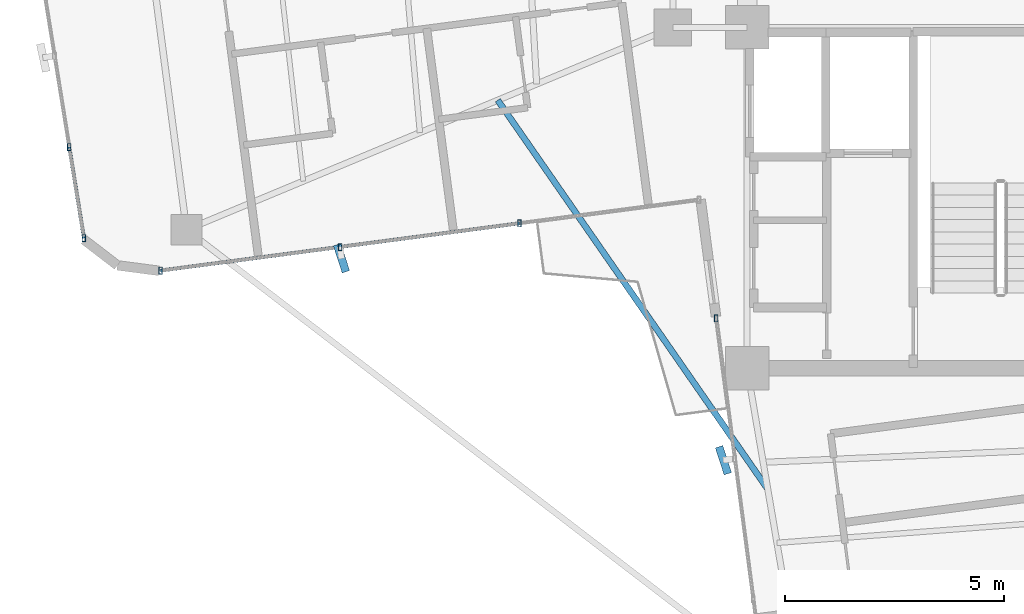
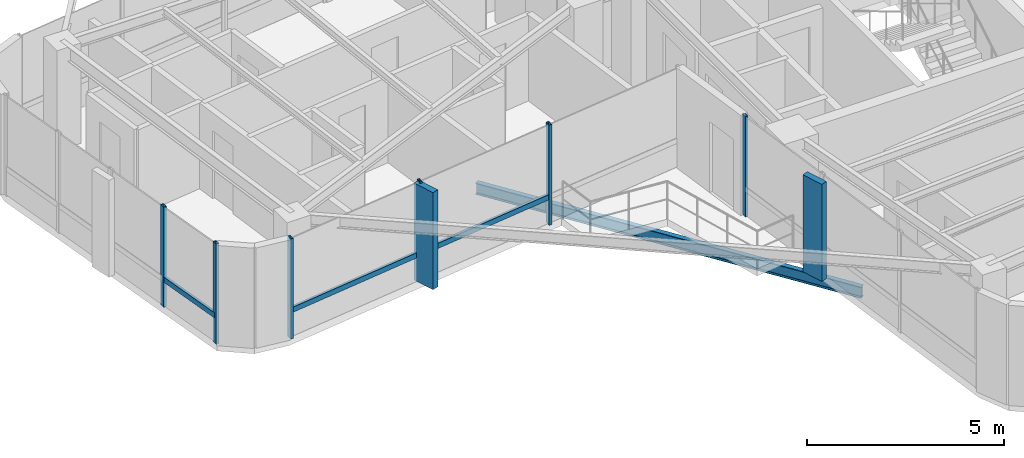
# One storey, part 2 of 21: 11 members, 1 beam, 3 elements without a shape of their own.
"""IFC4 building model written with IfcOpenShell, lengths in metres."""

from ifc_helpers import new_model, si_unit, direction, frame, origin, origin_2d, place, context, subcontext, project, spatial, rectangle, hollow_rectangle, i_section, extrude, source, transform, mapped, material, material_profile, profile_set, type_object, element, aggregate, save


model = new_model("IFC4")

# Units and contexts
model_context = context("Model", 3, precision=1e-05, world=origin(), true_north=direction((0.0, 1.0)))
body_context = subcontext(model_context, "Body", "Model", "MODEL_VIEW")
ifc_project = project(units=[si_unit("LENGTHUNIT", "METRE"), si_unit("AREAUNIT", "SQUARE_METRE"), si_unit("VOLUMEUNIT", "CUBIC_METRE"), si_unit("PLANEANGLEUNIT", "RADIAN"), si_unit("MASSUNIT", "GRAM", prefix="KILO")], contexts=[model_context])

# Site, building, storey
site_placement = place(None, origin())
site = spatial("IfcSite", under=ifc_project, at=site_placement, CompositionType="ELEMENT")
building_placement = place(site_placement, origin())
building = spatial("IfcBuilding", under=site, at=building_placement, Name="Sahyath Konkavel Grand Hotel", CompositionType="ELEMENT")
storey_placement = place(building_placement, frame((0.0, 0.0, 209.85009765625)))
storey = spatial("IfcBuildingStorey", under=building, at=storey_placement, Name="L58", CompositionType="ELEMENT", Elevation=209.85009765625)

# Curtain wall, members
ifc_material_1 = material(Name="Anodised Bronze Aluminium & Low-E Glazing", Category="aluminium")
curtain_wall_type = type_object("IfcCurtainWallType", Name="CW-ZONE4", PredefinedType="NOTDEFINED", material=ifc_material_1)
curtain_wall_1_placement = place(storey_placement, origin())
curtain_wall_1 = element("IfcCurtainWall", 1, at=curtain_wall_1_placement, inside=storey, type_object=curtain_wall_type, Name="L58 Unitised Curtain Wall F20", PredefinedType="NOTDEFINED")
ifc_material_2 = material(Name="Anodised Bronze Aluminium", Category="aluminium")
ifc_material_profile_1 = material_profile(ifc_material_2, hollow_rectangle(XDim=0.080078125, YDim=0.159912109375, WallThickness=0.006103515625, at=origin_2d()), Name="RHS 160x80x6")
ifc_profile_set_1 = profile_set([ifc_material_profile_1], Name="Anodised Bronze Aluminium")
member_type_1 = type_object("IfcMemberType", Name="CW-MUL-160", PredefinedType="MULLION", material=ifc_profile_set_1)
shared_shape_1 = source(origin(), body_context, "Body", "SweptSolid", [
    extrude(hollow_rectangle(XDim=0.080078125, YDim=0.159912109375, WallThickness=0.006103515625, at=origin_2d()), origin(), (0.0, 0.0, 1.0), 3.10986328125),
])
member_1_placement = place(storey_placement, frame((-19.30908203125, -5.137939453125, 0.0), z_axis=(0.0, 0.0, 1.0), x_axis=(1.0, 0.0, 0.0)))
member_1 = element("IfcMember", 2, at=member_1_placement, type_object=member_type_1, Name="L58 Curtain Wall Mullion F20-3", PredefinedType="MULLION", context=body_context, shape_type="MappedRepresentation", body=[
    mapped(shared_shape_1, transform((0.0, 0.0, 0.0), scale=1.0)),
])
member_2_placement = place(storey_placement, frame((-18.972900390625, -7.22314453125, 0.0), z_axis=(0.0, 0.0, 1.0), x_axis=(1.0, 0.0, 0.0)))
member_2 = element("IfcMember", 3, at=member_2_placement, type_object=member_type_1, Name="L58 Curtain Wall Mullion F20-4", PredefinedType="MULLION", context=body_context, shape_type="MappedRepresentation", body=[
    mapped(shared_shape_1, transform((0.0, 0.0, 0.0), scale=1.0)),
])

curtain_wall_2_placement = place(storey_placement, origin())
curtain_wall_2 = element("IfcCurtainWall", 4, at=curtain_wall_2_placement, inside=storey, type_object=curtain_wall_type, Name="L58 Unitised Curtain Wall F23", PredefinedType="NOTDEFINED")
member_3_placement = place(storey_placement, frame((-17.217529296875, -7.965576171875, 0.0), z_axis=(0.0, 0.0, 1.0), x_axis=(1.0, 0.0, 0.0)))
member_3 = element("IfcMember", 5, at=member_3_placement, type_object=member_type_1, Name="L58 Curtain Wall Mullion F23-0", PredefinedType="MULLION", context=body_context, shape_type="MappedRepresentation", body=[
    mapped(shared_shape_1, transform((0.0, 0.0, 0.0), scale=1.0)),
])
member_4_placement = place(storey_placement, frame((-13.113037109375, -7.425048828125, 0.0), z_axis=(0.0, 0.0, 1.0), x_axis=(1.0, 0.0, 0.0)))
member_4 = element("IfcMember", 6, at=member_4_placement, type_object=member_type_1, Name="L58 Curtain Wall Mullion F23-1", PredefinedType="MULLION", context=body_context, shape_type="MappedRepresentation", body=[
    mapped(shared_shape_1, transform((0.0, 0.0, 0.0), scale=1.0)),
])
member_5_placement = place(storey_placement, frame((-9.008544921875, -6.884765625, 0.0), z_axis=(0.0, 0.0, 1.0), x_axis=(1.0, 0.0, 0.0)))
member_5 = element("IfcMember", 7, at=member_5_placement, type_object=member_type_1, Name="L58 Curtain Wall Mullion F23-2", PredefinedType="MULLION", context=body_context, shape_type="MappedRepresentation", body=[
    mapped(shared_shape_1, transform((0.0, 0.0, 0.0), scale=1.0)),
])

# Curtain wall, member
curtain_wall_3_placement = place(storey_placement, origin())
curtain_wall_3 = element("IfcCurtainWall", 8, at=curtain_wall_3_placement, inside=storey, type_object=curtain_wall_type, Name="L58 Unitised Curtain Wall F24", PredefinedType="NOTDEFINED")
member_6_placement = place(storey_placement, frame((-4.506591796875, -9.0556640625, 0.0), z_axis=(0.0, 0.0, 1.0), x_axis=(1.0, 0.0, 0.0)))
member_6 = element("IfcMember", 9, at=member_6_placement, type_object=member_type_1, Name="L58 Curtain Wall Mullion F24-0", PredefinedType="MULLION", context=body_context, shape_type="MappedRepresentation", body=[
    mapped(shared_shape_1, transform((0.0, 0.0, 0.0), scale=1.0)),
])

# Member
ifc_material_3 = material(Name="Warm Buff Sandstone Cladding on Concrete C50/60", Category="masonry")
ifc_material_profile_2 = material_profile(ifc_material_3, rectangle(XDim=0.179931640625, YDim=0.64990234375, at=origin_2d()), Name="FIN 180x650")
ifc_profile_set_2 = profile_set([ifc_material_profile_2], Name="Warm Buff Sandstone Cladding on Concrete C50/60")
member_type_2 = type_object("IfcMemberType", Name="FIN-SANDSTONE-650", PredefinedType="MULLION", material=ifc_profile_set_2)
shared_shape_2 = source(origin(), body_context, "Body", "SweptSolid", [
    extrude(rectangle(XDim=0.179931640625, YDim=0.64990234375, at=origin_2d()), origin(), (0.0, 0.0, 1.0), 3.010009765625),
])
member_7_placement = place(storey_placement, frame((-13.0791015625, -7.682861328125, 0.0498046875), z_axis=(0.0, 0.0, 1.0), x_axis=(0.951164325631, 0.308684994204, 0.0)))
member_7 = element("IfcMember", 10, at=member_7_placement, type_object=member_type_2, Name="L58 Sandstone Vertical Solar Fin FIN F23-1", PredefinedType="MULLION", context=body_context, shape_type="MappedRepresentation", body=[
    mapped(shared_shape_2, transform((0.0, 0.0, 0.0), scale=1.0)),
])

member_8_placement = place(storey_placement, frame((-4.341552734375, -12.302001953125, 0.0498046875), z_axis=(0.0, 0.0, 1.0), x_axis=(0.951164325631, 0.308684994204, 0.0)))
member_8 = element("IfcMember", 11, at=member_8_placement, type_object=member_type_2, Name="L58 Sandstone Vertical Solar Fin FIN F24-1", PredefinedType="MULLION", context=body_context, shape_type="MappedRepresentation", body=[
    mapped(shared_shape_2, transform((0.0, 0.0, 0.0), scale=1.0)),
])

aggregate(curtain_wall_3, [member_6, member_8])

ifc_material_profile_3 = material_profile(ifc_material_2, hollow_rectangle(XDim=0.080078125, YDim=0.159912109375, WallThickness=0.006103515625, at=origin_2d()), Name="RHS 160x80x6")
ifc_profile_set_3 = profile_set([ifc_material_profile_3], Name="Anodised Bronze Aluminium")
member_type_3 = type_object("IfcMemberType", Name="CW-TRN-160", PredefinedType="USERDEFINED", material=ifc_profile_set_3)
shared_shape_3 = source(origin(), body_context, "Body", "SweptSolid", [
    extrude(hollow_rectangle(XDim=0.080078125, YDim=0.159912109375, WallThickness=0.006103515625, at=origin_2d()), origin(), (0.0, 0.0, 1.0), 2.112060546875),
])
member_9_placement = place(storey_placement, frame((-19.30908203125, -5.137939453125, 0.849853515625), z_axis=(0.159167023612, -0.98725166933, 0.0), x_axis=(0.98725166933, 0.159167023612, 0.0)))
member_9 = element("IfcMember", 12, at=member_9_placement, type_object=member_type_3, Name="L58 Curtain Wall Transom F20-3-spandrel", ObjectType="TRANSOM", PredefinedType="USERDEFINED", context=body_context, shape_type="MappedRepresentation", body=[
    mapped(shared_shape_3, transform((0.0, 0.0, 0.0), scale=1.0)),
])

aggregate(curtain_wall_1, [member_1, member_2, member_9])

shared_shape_4 = source(origin(), body_context, "Body", "SweptSolid", [
    extrude(hollow_rectangle(XDim=0.080078125, YDim=0.159912109375, WallThickness=0.006103515625, at=origin_2d()), origin(), (0.0, 0.0, 1.0), 4.139892578125),
])
member_10_placement = place(storey_placement, frame((-17.217529296875, -7.965576171875, 0.849853515625), z_axis=(0.991439837467, 0.130564346904, 0.0), x_axis=(-0.130564346904, 0.991439837467, 0.0)))
member_10 = element("IfcMember", 13, at=member_10_placement, type_object=member_type_3, Name="L58 Curtain Wall Transom F23-0-spandrel", ObjectType="TRANSOM", PredefinedType="USERDEFINED", context=body_context, shape_type="MappedRepresentation", body=[
    mapped(shared_shape_4, transform((0.0, 0.0, 0.0), scale=1.0)),
])

member_11_placement = place(storey_placement, frame((-13.113037109375, -7.425048828125, 0.849853515625), z_axis=(0.991447469582, 0.130506379383, 0.0), x_axis=(-0.130506379383, 0.991447469582, 0.0)))
member_11 = element("IfcMember", 14, at=member_11_placement, type_object=member_type_3, Name="L58 Curtain Wall Transom F23-1-spandrel", ObjectType="TRANSOM", PredefinedType="USERDEFINED", context=body_context, shape_type="MappedRepresentation", body=[
    mapped(shared_shape_4, transform((0.0, 0.0, 0.0), scale=1.0)),
])

aggregate(curtain_wall_2, [member_3, member_4, member_7, member_5, member_10, member_11])

# Beam
ifc_material_4 = material(Name="Steel E350", Category="steel")
ifc_material_profile_4 = material_profile(ifc_material_4, i_section(OverallWidth=0.139892578125, OverallDepth=0.35009765625, WebThickness=0.008056640625, FlangeThickness=0.01416015625, FilletRadius=0.013916015625, at=origin_2d()), Name="ISMB 350")
ifc_profile_set_4 = profile_set([ifc_material_profile_4], Name="Steel E350")
beam_type = type_object("IfcBeamType", Name="BM-BALC-CANT", PredefinedType="BEAM", material=ifc_profile_set_4)
shared_shape_5 = source(origin(), body_context, "Body", "SweptSolid", [
    extrude(i_section(OverallWidth=0.139892578125, OverallDepth=0.35009765625, WebThickness=0.008056640625, FlangeThickness=0.01416015625, FilletRadius=0.013916015625, at=origin_2d()), origin(), (0.0, 0.0, 1.0), 10.831298828125),
])
beam_placement = place(storey_placement, frame((-9.5048828125, -4.06689453125, -0.4150390625), z_axis=(0.570310057725, -0.821429508879, 0.0), x_axis=(0.821429508879, 0.570310057725, 0.0)))
element("IfcBeam", 15, at=beam_placement, inside=storey, type_object=beam_type, Name="L58 Balcony Cantilever Support Beam SW", PredefinedType="BEAM", context=body_context, shape_type="MappedRepresentation", body=[
    mapped(shared_shape_5, transform((0.0, 0.0, 0.0), scale=1.0)),
])

save(model, "model.ifc")
